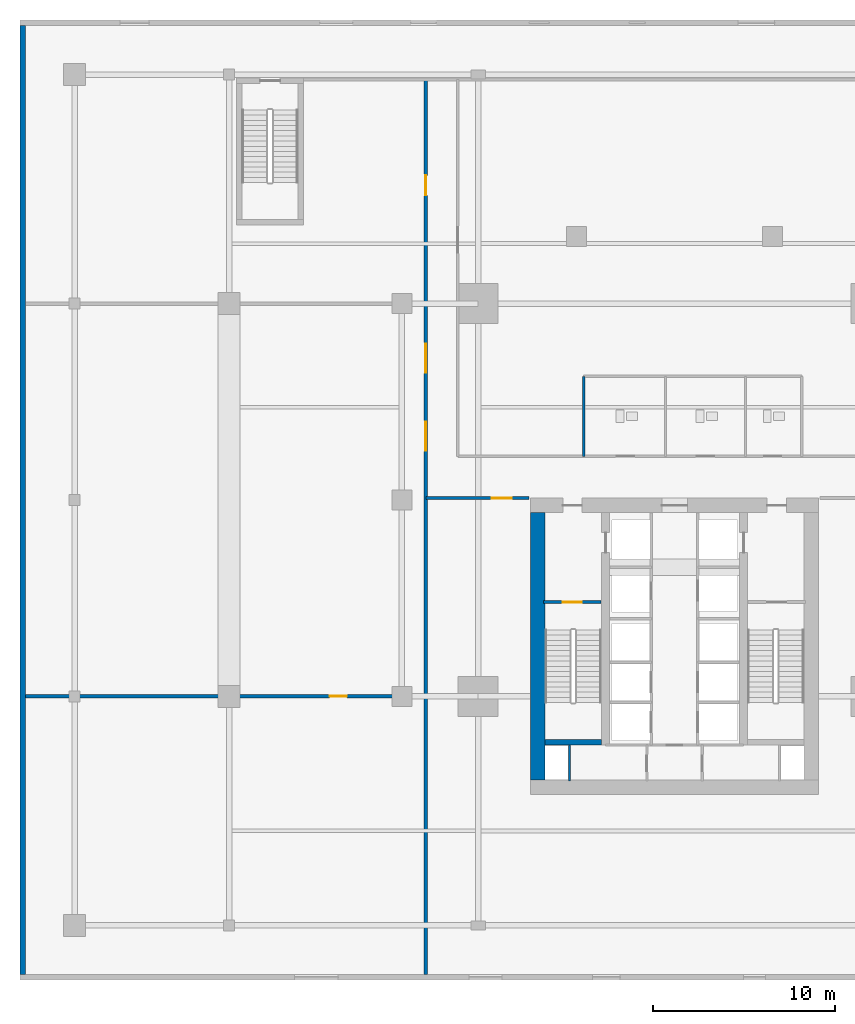
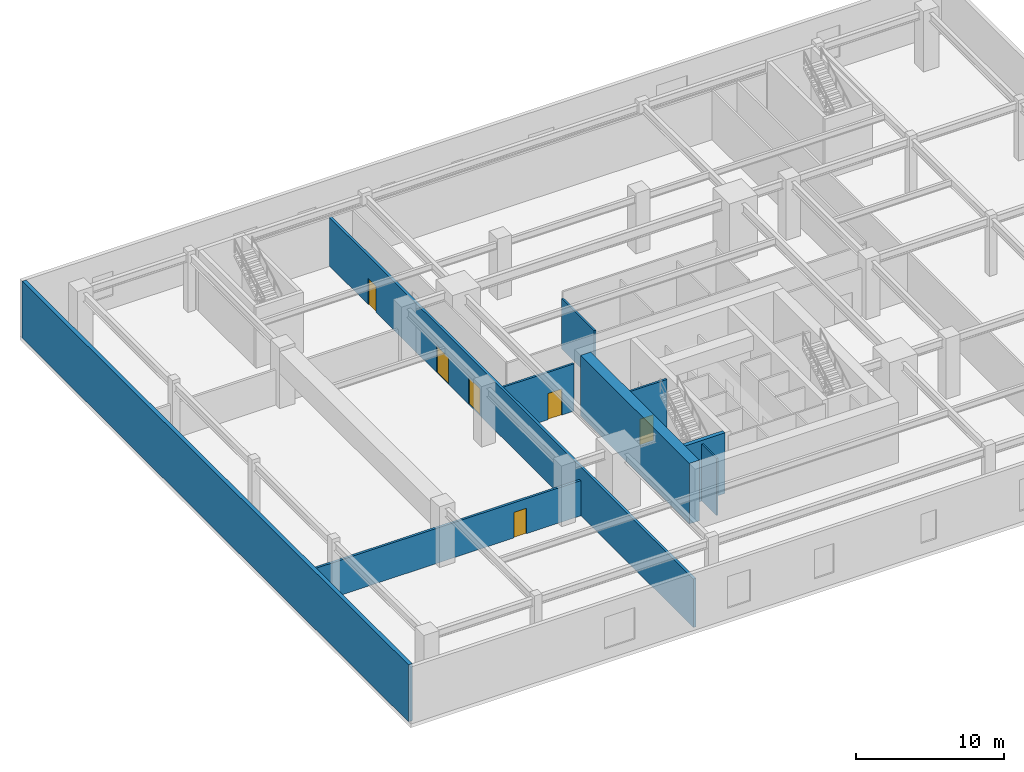
# One storey, part 3 of 10: 9 walls, 6 doors, 6 openings.
"""IFC4 building model written with IfcOpenShell, lengths in metres."""

from ifc_helpers import new_model, si_unit, direction, frame, frame_2d, origin, place, context, subcontext, project, spatial, rectangle, extrude, material, layer, layer_set, type_object, element, fill, save


model = new_model("IFC4")

# Units and contexts
model_context = context("Model", 3, precision=1e-05, world=origin(), true_north=direction((0.0, 1.0)))
body_context = subcontext(model_context, "Body", "Model", "MODEL_VIEW")
ifc_project = project(units=[si_unit("LENGTHUNIT", "METRE"), si_unit("AREAUNIT", "SQUARE_METRE"), si_unit("VOLUMEUNIT", "CUBIC_METRE"), si_unit("PLANEANGLEUNIT", "RADIAN"), si_unit("MASSUNIT", "GRAM", prefix="KILO")], contexts=[model_context])

# Site, building, storey
site_placement = place(None, origin())
site = spatial("IfcSite", under=ifc_project, at=site_placement, CompositionType="ELEMENT")
building_placement = place(site_placement, origin())
building = spatial("IfcBuilding", under=site, at=building_placement, Name="Krantzveldt Concourse Tower", CompositionType="ELEMENT")
storey_placement = place(building_placement, frame((0.0, 0.0, 5.39990234375)))
storey = spatial("IfcBuildingStorey", under=building, at=storey_placement, Name="L01", CompositionType="ELEMENT", Elevation=5.39990234375)

# Walls
ifc_material_1 = material(Name="Concrete C40/50", Category="concrete")
ifc_layer_1 = layer(ifc_material_1, 0.300048828125, Name="Concrete C40/50", Category="concrete")
ifc_layer_set_1 = layer_set([ifc_layer_1], Name="Concrete C40/50 (WL-EXT-GRAN300)")
wall_type_1 = type_object("IfcWallType", Name="WL-EXT-GRAN300", PredefinedType="SOLIDWALL", material=ifc_layer_set_1)
wall_1_placement = place(storey_placement, frame((0.14990234375, 0.60009765625, 0.0), z_axis=(0.0, 0.0, 1.0), x_axis=(0.0, 1.0, 0.0)))
element("IfcWall", 1, at=wall_1_placement, inside=storey, type_object=wall_type_1, Name="EW-L01-W", PredefinedType="SOLIDWALL", context=body_context, shape_type="SweptSolid", body=[
    extrude(rectangle(XDim=52.199951171875, YDim=0.300048828125, at=frame_2d((26.10009765625, 0.0))), origin(), (0.0, 0.0, 1.0), 4.7001953125),
])
ifc_material_2 = material(Name="Fire-rated gypsum plasterboard on steel stud", Category="steel")
ifc_layer_2 = layer(ifc_material_2, 0.139892578125, Name="Fire-rated gypsum plasterboard on steel stud", Category="steel")
ifc_layer_set_2 = layer_set([ifc_layer_2], Name="Fire-rated gypsum plasterboard on steel stud (WL-PART-140)")
wall_type_2 = type_object("IfcWallType", Name="WL-PART-140", PredefinedType="PARTITIONING", material=ifc_layer_set_2)
wall_2_placement = place(storey_placement, frame((31.0, 29.10009765625, 0.0), z_axis=(0.0, 0.0, 1.0), x_axis=(0.0, 1.0, 0.0)))
element("IfcWall", 2, at=wall_2_placement, inside=storey, type_object=wall_type_2, Name="WP-L01-WCW", PredefinedType="PARTITIONING", context=body_context, shape_type="SweptSolid", body=[
    extrude(rectangle(XDim=4.39990234375, YDim=0.139892578125, at=frame_2d((2.199951171875, 0.0))), origin(), (0.0, 0.0, 1.0), 4.150146484375),
])

# Wall, opening, door
ifc_layer_3 = layer(ifc_material_2, 0.159912109375, Name="Fire-rated gypsum plasterboard on steel stud", Category="steel")
ifc_layer_set_3 = layer_set([ifc_layer_3], Name="Fire-rated gypsum plasterboard on steel stud (WL-PART-160)")
wall_type_3 = type_object("IfcWallType", Name="WL-PART-160", PredefinedType="PARTITIONING", material=ifc_layer_set_3)
wall_3_placement = place(storey_placement, frame((22.320068359375, 26.800048828125, 0.0), z_axis=(0.0, 0.0, 1.0), x_axis=(1.0, 0.0, 0.0)))
wall_3 = element("IfcWall", 3, at=wall_3_placement, inside=storey, type_object=wall_type_3, Name="WP-L01-S1", PredefinedType="PARTITIONING", context=body_context, shape_type="SweptSolid", body=[
    extrude(rectangle(XDim=5.679931640625, YDim=0.159912109375, at=frame_2d((2.83984375, 0.0))), origin(), (0.0, 0.0, 1.0), 3.900146484375),
])
opening_1_placement = place(wall_3_placement, frame((3.6298828125, 0.0, 0.0)))
opening_1 = element("IfcOpeningElement", 4, at=opening_1_placement, cuts=wall_3, Name="Opening D-IN110", PredefinedType="OPENING", context=body_context, shape_type="SweptSolid", body=[
    extrude(rectangle(XDim=1.10009765625, YDim=2.14990234375, at=frame_2d((0.550048828125, 1.074951171875))), frame((0.0, 0.08984375, 0.0), z_axis=(0.0, -1.0, 0.0), x_axis=(1.0, 0.0, 0.0)), (0.0, 0.0, 1.0), 0.179931640625),
])
ifc_material_3 = material(Name="Hardwood timber", Category="wood")
door_type_1 = type_object("IfcDoorType", Name="DR-INT-1100", OperationType="SINGLE_SWING_LEFT", PredefinedType="DOOR", material=ifc_material_3)
door_1_placement = place(opening_1_placement, origin())
door_1 = element("IfcDoor", 5, at=door_1_placement, inside=storey, type_object=door_type_1, Name="DR-L01-SBK", OperationType="SINGLE_SWING_LEFT", OverallHeight=2.14990234375, OverallWidth=1.10009765625, PredefinedType="DOOR", context=body_context, shape_type="SweptSolid", body=[
    extrude(rectangle(XDim=1.10009765625, YDim=2.14990234375, at=frame_2d((0.550048828125, 1.074951171875))), frame((0.0, 0.02490234375, 0.0), z_axis=(0.0, -1.0, 0.0), x_axis=(1.0, 0.0, 0.0)), (0.0, 0.0, 1.0), 0.050048828125),
])
fill(opening_1, door_1)

# Wall
ifc_layer_4 = layer(ifc_material_2, 0.139892578125, Name="Fire-rated gypsum plasterboard on steel stud", Category="steel")
ifc_layer_set_4 = layer_set([ifc_layer_4], Name="Fire-rated gypsum plasterboard on steel stud (WL-PART-FR140)")
wall_type_4 = type_object("IfcWallType", Name="WL-PART-FR140", PredefinedType="PARTITIONING", material=ifc_layer_set_4)
wall_4_placement = place(storey_placement, frame((30.219970703125, 11.25, 0.0), z_axis=(0.0, 0.0, 1.0), x_axis=(0.0, 1.0, 0.0)))
element("IfcWall", 6, at=wall_4_placement, inside=storey, type_object=wall_type_4, Name="WP-L01-RSW", PredefinedType="PARTITIONING", context=body_context, shape_type="SweptSolid", body=[
    extrude(rectangle(XDim=1.969970703125, YDim=0.1201171875, at=frame_2d((0.98486328125, 0.0))), origin(), (0.0, 0.0, 1.0), 4.7001953125),
])

# Wall, opening, door
ifc_layer_5 = layer(ifc_material_2, 0.159912109375, Name="Fire-rated gypsum plasterboard on steel stud", Category="steel")
ifc_layer_set_5 = layer_set([ifc_layer_5], Name="Fire-rated gypsum plasterboard on steel stud (WL-PART-FR160)")
wall_type_5 = type_object("IfcWallType", Name="WL-PART-FR160", PredefinedType="PARTITIONING", material=ifc_layer_set_5)
wall_5_placement = place(storey_placement, frame((28.800048828125, 21.080078125, 0.0), z_axis=(0.0, 0.0, 1.0), x_axis=(1.0, 0.0, 0.0)))
wall_5 = element("IfcWall", 7, at=wall_5_placement, inside=storey, type_object=wall_type_5, Name="WP-L01-ST1", PredefinedType="PARTITIONING", context=body_context, shape_type="SweptSolid", body=[
    extrude(rectangle(XDim=3.159912109375, YDim=0.159912109375, at=frame_2d((1.580078125, 0.0))), origin(), (0.0, 0.0, 1.0), 4.7001953125),
])
opening_2_placement = place(wall_5_placement, frame((1.054931640625, 0.0, 0.0)))
opening_2 = element("IfcOpeningElement", 8, at=opening_2_placement, cuts=wall_5, Name="Opening D-FD105", PredefinedType="OPENING", context=body_context, shape_type="SweptSolid", body=[
    extrude(rectangle(XDim=1.050048828125, YDim=2.10009765625, at=frame_2d((0.52490234375, 1.050048828125))), frame((0.0, 0.08984375, 0.0), z_axis=(0.0, -1.0, 0.0), x_axis=(1.0, 0.0, 0.0)), (0.0, 0.0, 1.0), 0.179931640625),
])
ifc_material_4 = material(Name="Galvanised steel", Category="steel")
door_type_2 = type_object("IfcDoorType", Name="DR-FD120-1050", OperationType="SINGLE_SWING_LEFT", PredefinedType="DOOR", material=ifc_material_4)
door_2_placement = place(opening_2_placement, origin())
door_2 = element("IfcDoor", 9, at=door_2_placement, inside=storey, type_object=door_type_2, Name="DR-L01-ST1", OperationType="SINGLE_SWING_RIGHT", OverallHeight=2.10009765625, OverallWidth=1.050048828125, PredefinedType="DOOR", context=body_context, shape_type="SweptSolid", body=[
    extrude(rectangle(XDim=1.050048828125, YDim=2.10009765625, at=frame_2d((0.52490234375, 1.050048828125))), frame((0.0, 0.02490234375, 0.0), z_axis=(0.0, -1.0, 0.0), x_axis=(1.0, 0.0, 0.0)), (0.0, 0.0, 1.0), 0.050048828125),
])
fill(opening_2, door_2)

ifc_layer_6 = layer(ifc_material_2, 0.179931640625, Name="Fire-rated gypsum plasterboard on steel stud", Category="steel")
ifc_layer_set_6 = layer_set([ifc_layer_6], Name="Fire-rated gypsum plasterboard on steel stud (WL-PART-FR180)")
wall_type_6 = type_object("IfcWallType", Name="WL-PART-FR180", PredefinedType="PARTITIONING", material=ifc_layer_set_6)
wall_6_placement = place(storey_placement, frame((0.304931640625, 15.89990234375, 0.0), z_axis=(0.0, 0.0, 1.0), x_axis=(1.0, 0.0, 0.0)))
wall_6 = element("IfcWall", 10, at=wall_6_placement, inside=storey, type_object=wall_type_6, Name="WP-L01-AUDS", PredefinedType="PARTITIONING", context=body_context, shape_type="SweptSolid", body=[
    extrude(rectangle(XDim=22.01513671875, YDim=0.179931640625, at=frame_2d((11.007568359375, 0.0))), origin(), (0.0, 0.0, 1.0), 2.900146484375),
])
opening_3_placement = place(wall_6_placement, frame((16.719970703125, 0.0, 0.0)))
opening_3 = element("IfcOpeningElement", 11, at=opening_3_placement, cuts=wall_6, Name="Opening D-FD695", PredefinedType="OPENING", context=body_context, shape_type="SweptSolid", body=[
    extrude(rectangle(XDim=0.949951171875, YDim=2.10009765625, at=frame_2d((0.47509765625, 1.050048828125))), frame((0.0, 0.10009765625, 0.0), z_axis=(0.0, -1.0, 0.0), x_axis=(1.0, 0.0, 0.0)), (0.0, 0.0, 1.0), 0.199951171875),
])
door_type_3 = type_object("IfcDoorType", Name="DR-FD60-950", OperationType="SINGLE_SWING_LEFT", PredefinedType="DOOR", material=ifc_material_3)
door_3_placement = place(opening_3_placement, origin())
door_3 = element("IfcDoor", 12, at=door_3_placement, inside=storey, type_object=door_type_3, Name="DR-L01-AUDSW", OperationType="SINGLE_SWING_LEFT", OverallHeight=2.10009765625, OverallWidth=0.949951171875, PredefinedType="DOOR", context=body_context, shape_type="SweptSolid", body=[
    extrude(rectangle(XDim=0.949951171875, YDim=2.10009765625, at=frame_2d((0.47509765625, 1.050048828125))), frame((0.0, 0.02490234375, 0.0), z_axis=(0.0, -1.0, 0.0), x_axis=(1.0, 0.0, 0.0)), (0.0, 0.0, 1.0), 0.050048828125),
])
fill(opening_3, door_3)

# Wall, openings, doors
ifc_layer_7 = layer(ifc_material_2, 0.199951171875, Name="Fire-rated gypsum plasterboard on steel stud", Category="steel")
ifc_layer_set_7 = layer_set([ifc_layer_7], Name="Fire-rated gypsum plasterboard on steel stud (WL-PART-FR200)")
wall_type_7 = type_object("IfcWallType", Name="WL-PART-FR200", PredefinedType="PARTITIONING", material=ifc_layer_set_7)
wall_7_placement = place(storey_placement, frame((22.320068359375, 0.60498046875, 0.0), z_axis=(0.0, 0.0, 1.0), x_axis=(0.0, 1.0, 0.0)))
wall_7 = element("IfcWall", 13, at=wall_7_placement, inside=storey, type_object=wall_type_7, Name="WP-L01-CWL1", PredefinedType="PARTITIONING", context=body_context, shape_type="SweptSolid", body=[
    extrude(rectangle(XDim=49.215087890625, YDim=0.199951171875, at=frame_2d((24.607421875, 0.0))), origin(), (0.0, 0.0, 1.0), 4.0),
])
opening_4_placement = place(wall_7_placement, frame((28.794921875, 0.0, 0.0)))
opening_4 = element("IfcOpeningElement", 14, at=opening_4_placement, cuts=wall_7, Name="Opening D-DB160", PredefinedType="OPENING", context=body_context, shape_type="SweptSolid", body=[
    extrude(rectangle(XDim=1.60009765625, YDim=2.199951171875, at=frame_2d((0.800048828125, 1.10009765625))), frame((0.0, 0.10986328125, 0.0), z_axis=(0.0, -1.0, 0.0), x_axis=(1.0, 0.0, 0.0)), (0.0, 0.0, 1.0), 0.219970703125),
])
opening_5_placement = place(wall_7_placement, frame((33.094970703125, 0.0, 0.0)))
opening_5 = element("IfcOpeningElement", 15, at=opening_5_placement, cuts=wall_7, Name="Opening D-DB160", PredefinedType="OPENING", context=body_context, shape_type="SweptSolid", body=[
    extrude(rectangle(XDim=1.60009765625, YDim=2.199951171875, at=frame_2d((0.800048828125, 1.10009765625))), frame((0.0, 0.10986328125, 0.0), z_axis=(0.0, -1.0, 0.0), x_axis=(1.0, 0.0, 0.0)), (0.0, 0.0, 1.0), 0.219970703125),
])
opening_6_placement = place(wall_7_placement, frame((42.844970703125, 0.0, 0.0)))
opening_6 = element("IfcOpeningElement", 16, at=opening_6_placement, cuts=wall_7, Name="Opening D-FD110", PredefinedType="OPENING", context=body_context, shape_type="SweptSolid", body=[
    extrude(rectangle(XDim=1.10009765625, YDim=2.14990234375, at=frame_2d((0.550048828125, 1.074951171875))), frame((0.0, 0.10986328125, 0.0), z_axis=(0.0, -1.0, 0.0), x_axis=(1.0, 0.0, 0.0)), (0.0, 0.0, 1.0), 0.219970703125),
])
door_type_4 = type_object("IfcDoorType", Name="DR-DBL-1600", OperationType="DOUBLE_DOOR_SINGLE_SWING", PredefinedType="DOOR", material=ifc_material_4)
door_4_placement = place(opening_4_placement, origin())
door_4 = element("IfcDoor", 17, at=door_4_placement, inside=storey, type_object=door_type_4, Name="DR-L01-AUD1", OperationType="DOUBLE_DOOR_SINGLE_SWING", OverallHeight=2.199951171875, OverallWidth=1.60009765625, PredefinedType="DOOR", context=body_context, shape_type="SweptSolid", body=[
    extrude(rectangle(XDim=1.60009765625, YDim=2.199951171875, at=frame_2d((0.800048828125, 1.10009765625))), frame((0.0, 0.02490234375, 0.0), z_axis=(0.0, -1.0, 0.0), x_axis=(1.0, 0.0, 0.0)), (0.0, 0.0, 1.0), 0.050048828125),
])
fill(opening_4, door_4)
door_5_placement = place(opening_5_placement, origin())
door_5 = element("IfcDoor", 18, at=door_5_placement, inside=storey, type_object=door_type_4, Name="DR-L01-AUD2", OperationType="DOUBLE_DOOR_SINGLE_SWING", OverallHeight=2.199951171875, OverallWidth=1.60009765625, PredefinedType="DOOR", context=body_context, shape_type="SweptSolid", body=[
    extrude(rectangle(XDim=1.60009765625, YDim=2.199951171875, at=frame_2d((0.800048828125, 1.10009765625))), frame((0.0, 0.02490234375, 0.0), z_axis=(0.0, -1.0, 0.0), x_axis=(1.0, 0.0, 0.0)), (0.0, 0.0, 1.0), 0.050048828125),
])
fill(opening_5, door_5)
door_type_5 = type_object("IfcDoorType", Name="DR-FD120-1100", OperationType="SINGLE_SWING_LEFT", PredefinedType="DOOR", material=ifc_material_4)
door_6_placement = place(opening_6_placement, origin())
door_6 = element("IfcDoor", 19, at=door_6_placement, inside=storey, type_object=door_type_5, Name="DR-L01-AUDNW", OperationType="SINGLE_SWING_RIGHT", OverallHeight=2.14990234375, OverallWidth=1.10009765625, PredefinedType="DOOR", context=body_context, shape_type="SweptSolid", body=[
    extrude(rectangle(XDim=1.10009765625, YDim=2.14990234375, at=frame_2d((0.550048828125, 1.074951171875))), frame((0.0, 0.02490234375, 0.0), z_axis=(0.0, -1.0, 0.0), x_axis=(1.0, 0.0, 0.0)), (0.0, 0.0, 1.0), 0.050048828125),
])
fill(opening_6, door_6)

# Walls
ifc_material_5 = material(Name="Concrete C50/60", Category="concrete")
ifc_layer_8 = layer(ifc_material_5, 0.300048828125, Name="Concrete C50/60", Category="concrete")
ifc_layer_set_8 = layer_set([ifc_layer_8], Name="Concrete C50/60 (WL-SHEAR-300)")
wall_type_8 = type_object("IfcWallType", Name="WL-SHEAR-300", PredefinedType="SHEAR", material=ifc_layer_set_8)
wall_8_placement = place(storey_placement, frame((28.8798828125, 13.3701171875, 0.0), z_axis=(0.0, 0.0, 1.0), x_axis=(1.0, 0.0, 0.0)))
element("IfcWall", 20, at=wall_8_placement, inside=storey, type_object=wall_type_8, Name="CW-L01-ST1S", PredefinedType="SHEAR", context=body_context, shape_type="SweptSolid", body=[
    extrude(rectangle(XDim=3.10009765625, YDim=0.300048828125, at=frame_2d((1.550048828125, 0.0))), origin(), (0.0, 0.0, 1.0), 5.0),
])
ifc_material_6 = material(Name="Concrete C60/75", Category="concrete")
ifc_layer_9 = layer(ifc_material_6, 0.800048828125, Name="Concrete C60/75", Category="concrete")
ifc_layer_set_9 = layer_set([ifc_layer_9], Name="Concrete C60/75 (WL-SHEAR-800)")
wall_type_9 = type_object("IfcWallType", Name="WL-SHEAR-800", PredefinedType="SHEAR", material=ifc_layer_set_9)
wall_9_placement = place(storey_placement, frame((28.47998046875, 11.300048828125, 0.0), z_axis=(0.0, 0.0, 1.0), x_axis=(0.0, 1.0, 0.0)))
element("IfcWall", 21, at=wall_9_placement, inside=storey, type_object=wall_type_9, Name="CW-L01-W", PredefinedType="SHEAR", context=body_context, shape_type="SweptSolid", body=[
    extrude(rectangle(XDim=14.699951171875, YDim=0.800048828125, at=frame_2d((7.35009765625, 0.0))), origin(), (0.0, 0.0, 1.0), 5.0),
])

save(model, "model.ifc")
